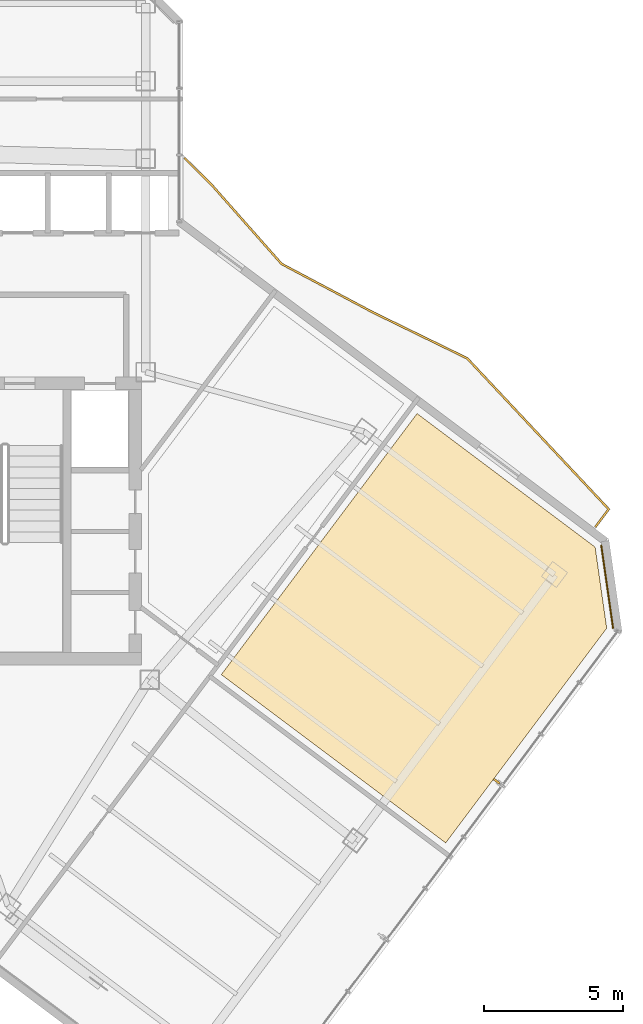
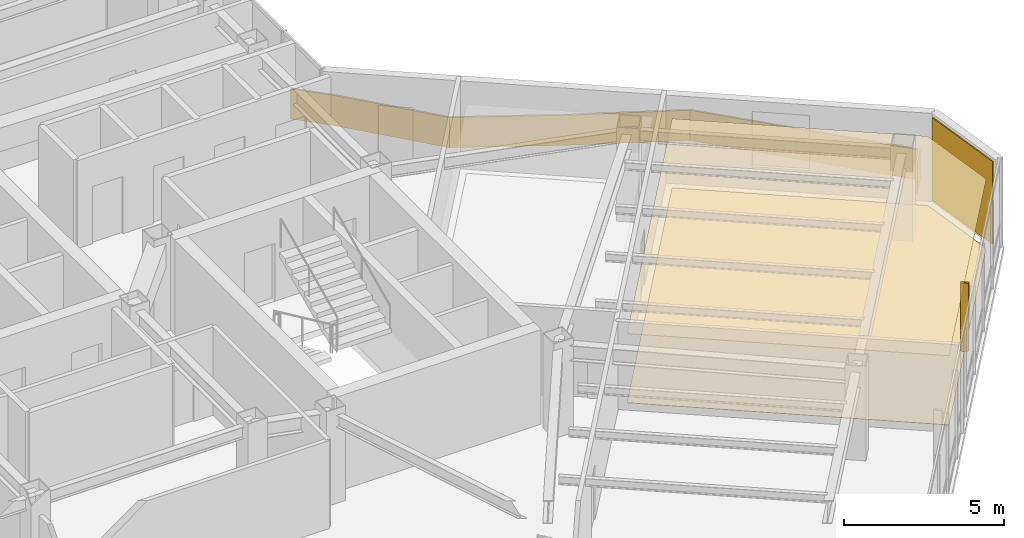
# One storey, part 24 of 25: 3 coverings, 1 railing, 1 shading device.
"""IFC4 building model written with IfcOpenShell, lengths in metres."""

from ifc_helpers import new_model, si_unit, direction, frame, origin, origin_2d, place, context, subcontext, project, spatial, polyline, rectangle, outline, extrude, material, layer, layer_set, type_object, element, save


model = new_model("IFC4")

# Units and contexts
model_context = context("Model", 3, precision=1e-05, world=origin(), true_north=direction((0.0, 1.0)))
body_context = subcontext(model_context, "Body", "Model", "MODEL_VIEW")
ifc_project = project(units=[si_unit("LENGTHUNIT", "METRE"), si_unit("AREAUNIT", "SQUARE_METRE"), si_unit("VOLUMEUNIT", "CUBIC_METRE"), si_unit("PLANEANGLEUNIT", "RADIAN"), si_unit("MASSUNIT", "GRAM", prefix="KILO")], contexts=[model_context])

# Site, building, storey
site_placement = place(None, origin())
site = spatial("IfcSite", under=ifc_project, at=site_placement, CompositionType="ELEMENT")
building_placement = place(site_placement, origin())
building = spatial("IfcBuilding", under=site, at=building_placement, Name="Hatsunagi Terrace Concourse", CompositionType="ELEMENT")
storey_placement = place(building_placement, frame((0.0, 0.0, 216.75)))
storey = spatial("IfcBuildingStorey", under=building, at=storey_placement, Name="L57", CompositionType="ELEMENT", Elevation=216.75)

# Covering
ifc_material_1 = material(Name="Acoustic mineral board", Category="gypsum")
ifc_layer_1 = layer(ifc_material_1, 0.02001953125)
ifc_layer_set_1 = layer_set([ifc_layer_1], Name="AcousticMineralCeiling_20")
covering_type_1 = type_object("IfcCoveringType", Name="AcousticMineralCeiling_20", PredefinedType="CEILING", material=ifc_layer_set_1)
covering_1_placement = place(storey_placement, frame((0.0, 0.0, 2.6298828125)))
element("IfcCovering", 1, at=covering_1_placement, inside=storey, type_object=covering_type_1, Name="Suspended Ceiling L57-1", PredefinedType="CEILING", context=body_context, shape_type="SweptSolid", body=[
    extrude(outline(polyline([(59.865966796875, 28.988037109375), (53.44189453125, 33.805908203125), (46.3798828125, 24.389892578125), (54.47607421875, 18.318115234375), (60.283935546875, 26.06201171875), (59.865966796875, 28.988037109375)])), origin(), (0.0, 0.0, 1.0), 0.02001953125),
])

# Railing
ifc_material_2 = material(Name="Laminated Glass and Stainless Steel Guard", Category="steel")
ifc_layer_2 = layer(ifc_material_2, 0.070068359375)
ifc_layer_set_2 = layer_set([ifc_layer_2], Name="BalconyGlassGuardRail_1150")
railing_type = type_object("IfcRailingType", Name="BalconyGlassGuardRail_1150", PredefinedType="BALUSTRADE", material=ifc_layer_set_2)
railing_placement = place(storey_placement, origin())
element("IfcRailing", 2, at=railing_placement, inside=storey, type_object=railing_type, Name="Engawa Balcony Guard GRD-01 L57-BSE-1", PredefinedType="BALUSTRADE", context=body_context, shape_type="SweptSolid", body=[
    extrude(outline(polyline([(45.070556640625, 43.056884765625), (45.021484375, 43.007080078125), (46.01953125, 42.01708984375), (48.531005859375, 39.177001953125), (51.85400390625, 37.413818359375), (55.227783203125, 35.769287109375), (60.309326171875, 30.353515625), (59.842041015625, 29.73095703125), (59.89794921875, 29.68896484375), (60.400634765625, 30.3583984375), (55.27001953125, 35.82666015625), (51.885986328125, 37.476318359375), (48.574951171875, 39.23291015625), (46.070556640625, 42.06494140625), (45.070556640625, 43.056884765625)])), origin(), (0.0, 0.0, 1.0), 1.14990234375),
])

# Covering
ifc_material_3 = material(Name="Hardwood timber", Category="wood")
ifc_layer_3 = layer(ifc_material_3, 0.014892578125)
ifc_layer_set_3 = layer_set([ifc_layer_3], Name="HardwoodTimberFlooring_15")
covering_type_2 = type_object("IfcCoveringType", Name="HardwoodTimberFlooring_15", PredefinedType="FLOORING", material=ifc_layer_set_3)
covering_2_placement = place(storey_placement, origin())
element("IfcCovering", 3, at=covering_2_placement, inside=storey, type_object=covering_type_2, Name="Finished Flooring L57-1", PredefinedType="FLOORING", context=body_context, shape_type="SweptSolid", body=[
    extrude(outline(polyline([(59.865966796875, 28.988037109375), (53.44189453125, 33.805908203125), (46.3798828125, 24.389892578125), (54.47607421875, 18.318115234375), (60.283935546875, 26.06201171875), (59.865966796875, 28.988037109375)])), origin(), (0.0, 0.0, 1.0), 0.014892578125),
])

# Shading device
ifc_material_4 = material(Name="Extruded Unglazed Terracotta Baguette", Category="masonry")
shading_device_type = type_object("IfcShadingDeviceType", Name="TerracottaFinScreen_260x70", PredefinedType="USERDEFINED", material=ifc_material_4)
shading_device_placement = place(storey_placement, frame((56.31591796875, 20.5390625, 0.849853515625), z_axis=(0.0, 0.0, 1.0), x_axis=(-0.599969314634, -0.800023013105, 0.0)))
element("IfcShadingDevice", 4, at=shading_device_placement, inside=storey, type_object=shading_device_type, Name="Terracotta Baguette Fin Screen SCR-01", ObjectType="SUNSHADE", PredefinedType="USERDEFINED", context=body_context, shape_type="SweptSolid", body=[
    extrude(rectangle(XDim=0.070068359375, YDim=0.260009765625, at=origin_2d()), origin(), (0.0, 0.0, 1.0), 2.60009765625),
])

# Covering
ifc_material_5 = material(Name="Unglazed Warm Terracotta Rainscreen Tile", Category="masonry")
ifc_layer_4 = layer(ifc_material_5, 0.044921875)
ifc_layer_set_4 = layer_set([ifc_layer_4], Name="TerracottaRainscreenCladding_45")
covering_type_3 = type_object("IfcCoveringType", Name="TerracottaRainscreenCladding_45", PredefinedType="CLADDING", material=ifc_layer_set_4)
covering_3_placement = place(storey_placement, frame((60.301025390625, 27.55810546875, 0.10009765625), z_axis=(0.0, 0.0, 1.0), x_axis=(0.141250262458, -0.989973920543, 0.0)))
element("IfcCovering", 5, at=covering_3_placement, inside=storey, type_object=covering_type_3, Name="Terracotta Rainscreen Cladding L57-02", PredefinedType="CLADDING", context=body_context, shape_type="SweptSolid", body=[
    extrude(rectangle(XDim=3.0380859375, YDim=0.044921875, at=origin_2d()), origin(), (0.0, 0.0, 1.0), 3.14990234375),
])

save(model, "model.ifc")
